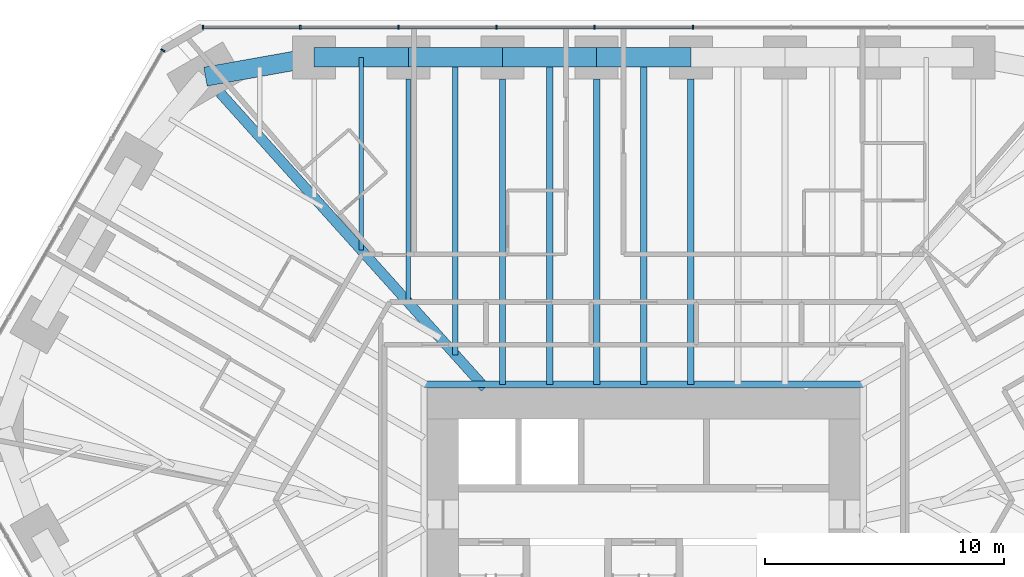
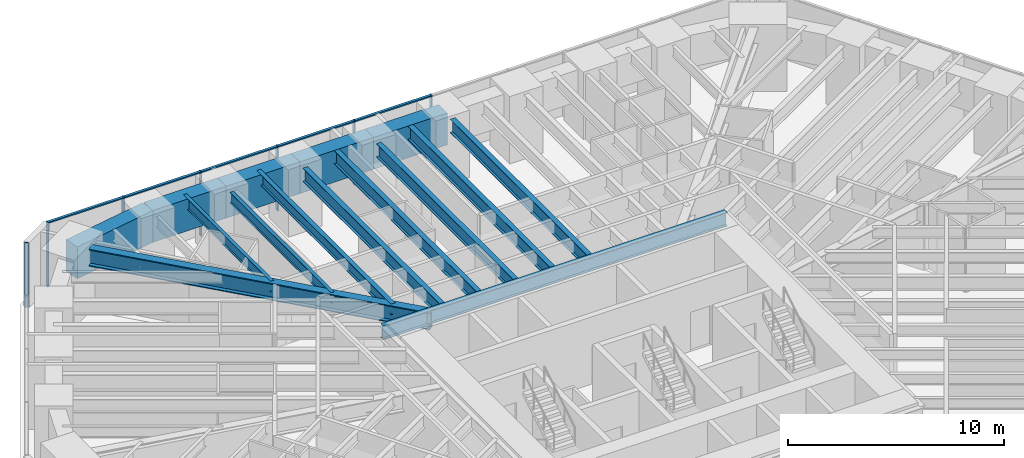
# One storey, part 8 of 17: 15 beams, 12 members, 2 elements without a shape of their own.
"""IFC4 building model written with IfcOpenShell, lengths in metres."""

import ifcopenshell
import ifcopenshell.guid

model = None  # the IFC model being written
_history = None  # IfcOwnerHistory: only IFC2X3 demands one
_inside = {}  # id of a spatial element -> (the spatial element, [elements in it])
_under = {}  # id of a project, library or spatial element -> (it, [spatial elements below it])
_declared = {}  # id of a project -> (the project, [libraries it declares])
_typed = {}  # id of a type object -> (the type object, [elements of that type])
_made_of = {}  # id of a material, layer set ... -> (it, [elements and type objects made of it])


def new_model(schema):
    """Start an empty IFC model of exactly this schema.

    Asked for "IFC4X3", IfcOpenShell would pick the latest addendum, in which some entities
    have other attributes; the version numbers below select the first issue.
    IFC2X3 requires an IfcOwnerHistory on every rooted entity: one is made here for all.
    """
    global model, _history
    if schema == "IFC4X3":
        model = ifcopenshell.file(schema_version=(4, 3, 0, 0))
    else:
        model = ifcopenshell.file(schema=schema)
    _inside.clear()
    _under.clear()
    _declared.clear()
    _typed.clear()
    _made_of.clear()
    _history = None
    if model.schema == "IFC2X3":
        org = make("IfcOrganization", Name="unknown")
        user = make(
            "IfcPersonAndOrganization",
            ThePerson=make("IfcPerson", FamilyName="unknown"),
            TheOrganization=org,
        )
        app = make(
            "IfcApplication",
            ApplicationDeveloper=org,
            Version="unknown",
            ApplicationFullName="unknown",
            ApplicationIdentifier="unknown",
        )
        _history = make(
            "IfcOwnerHistory",
            OwningUser=user,
            OwningApplication=app,
            ChangeAction="ADDED",
            CreationDate=0,
        )
    return model


def make(cls, **values):
    """One entity of the class cls with the attributes given. An attribute that is None is left unset."""
    return model.create_entity(
        cls, **{name: value for name, value in values.items() if value is not None}
    )


def rooted(cls, **values):
    """An entity with a GlobalId (a new one), such as an element, a storey or a relation."""
    return make(cls, GlobalId=ifcopenshell.guid.new(), OwnerHistory=_history, **values)


def si_unit(unit_type, name, prefix=None):
    """IfcSIUnit, for example si_unit("LENGTHUNIT", "METRE", prefix="MILLI")."""
    return make("IfcSIUnit", UnitType=unit_type, Prefix=prefix, Name=name)


def assignment(units):
    """IfcUnitAssignment: the units of a project."""
    return None if units is None else make("IfcUnitAssignment", Units=units)


def point(xyz):
    """IfcCartesianPoint."""
    return None if xyz is None else make("IfcCartesianPoint", Coordinates=xyz)


def direction(xyz):
    """IfcDirection."""
    return None if xyz is None else make("IfcDirection", DirectionRatios=xyz)


def frame(location, z_axis=None, x_axis=None):
    """IfcAxis2Placement3D, a coordinate frame: its origin and axes. An axis left out is left unset."""
    return make(
        "IfcAxis2Placement3D",
        Location=point(location),
        Axis=direction(z_axis),
        RefDirection=direction(x_axis),
    )


def frame_2d(location, x_axis=None):
    """IfcAxis2Placement2D, a coordinate frame in the plane: its origin and x axis."""
    return make(
        "IfcAxis2Placement2D", Location=point(location), RefDirection=direction(x_axis)
    )


def origin():
    """The frame at (0, 0, 0) with its axes left unset."""
    return frame((0.0, 0.0, 0.0))


def origin_2d():
    """The frame at (0, 0) in the plane with its x axis left unset."""
    return frame_2d((0.0, 0.0))


def place(relative_to, where):
    """IfcLocalPlacement: puts the frame where relative to a parent placement (None: the world)."""
    return make(
        "IfcLocalPlacement", PlacementRelTo=relative_to, RelativePlacement=where
    )


def context(
    kind, dimensions, precision=None, world=None, true_north=None, identifier=None
):
    """IfcGeometricRepresentationContext, for example the 3D "Model" context."""
    return make(
        "IfcGeometricRepresentationContext",
        ContextIdentifier=identifier,
        ContextType=kind,
        CoordinateSpaceDimension=dimensions,
        Precision=precision,
        WorldCoordinateSystem=world,
        TrueNorth=true_north,
    )


def subcontext(parent, identifier, kind, view, scale=None):
    """IfcGeometricRepresentationSubContext, for example "Body" below "Model"."""
    return make(
        "IfcGeometricRepresentationSubContext",
        ContextIdentifier=identifier,
        ContextType=kind,
        ParentContext=parent,
        TargetScale=scale,
        TargetView=view,
    )


def project(units=None, contexts=None):
    """IfcProject with its units and contexts."""
    return rooted(
        "IfcProject",
        Name="project",
        RepresentationContexts=contexts,
        UnitsInContext=assignment(units),
    )


def spatial(cls, under=None, at=None, **own):
    """A site, building, storey or space (cls), placed at a placement, below another one or the project."""
    s = rooted(cls, ObjectPlacement=at, **own)
    if under is not None:
        _under.setdefault(under.id(), (under, []))[1].append(s)
    return s


def profile(cls, at=None, kind="AREA", **sizes):
    """A parametric profile (cls). Its sizes go by their IFC names, for example OverallWidth=200.0."""
    return make(cls, ProfileType=kind, Position=at, **sizes)


def rectangle(**sizes):
    """IfcRectangleProfileDef."""
    return profile("IfcRectangleProfileDef", **sizes)


def i_section(**sizes):
    """IfcIShapeProfileDef."""
    return profile("IfcIShapeProfileDef", **sizes)


def extrude(swept, where, along, depth):
    """IfcExtrudedAreaSolid: the profile swept, set in the frame where, extruded along a direction by depth."""
    return make(
        "IfcExtrudedAreaSolid",
        SweptArea=swept,
        Position=where,
        ExtrudedDirection=direction(along),
        Depth=depth,
    )


def shape(context_of_items, identifier, shape_type, items):
    """IfcShapeRepresentation: the items that make up one representation, for example the "Body"."""
    return make(
        "IfcShapeRepresentation",
        ContextOfItems=context_of_items,
        RepresentationIdentifier=identifier,
        RepresentationType=shape_type,
        Items=items,
    )


def material(Name=None, Category=None):
    """IfcMaterial."""
    return make("IfcMaterial", Name=Name, Category=Category)


def material_profile(
    of_material, cross_section, Name=None, Category=None, Priority=None
):
    """IfcMaterialProfile: a cross section and its material."""
    return make(
        "IfcMaterialProfile",
        Name=Name,
        Material=of_material,
        Profile=cross_section,
        Priority=Priority,
        Category=Category,
    )


def profile_set(profiles, Name=None, composite=None):
    """IfcMaterialProfileSet."""
    return make(
        "IfcMaterialProfileSet",
        Name=Name,
        MaterialProfiles=profiles,
        CompositeProfile=composite,
    )


def made_of(thing, what):
    """Note that an element or type object is made of a material, layer set ...; save() writes the relation."""
    if what is not None:
        _made_of.setdefault(what.id(), (what, []))[1].append(thing)
    return thing


def type_object(cls, material=None, **own):
    """A type object (cls), such as IfcWallType, which elements share."""
    return made_of(rooted(cls, **own), material)


def element(
    cls,
    number,
    at=None,
    inside=None,
    cuts=None,
    type_object=None,
    material=None,
    context=None,
    identifier="Body",
    shape_type=None,
    held_by="IfcProductDefinitionShape",
    body=None,
    shapes=None,
    **own,
):
    """One element of the class cls, such as IfcWall. Its Tag is "e" and its number.

    at: its placement. inside: the storey or other place that contains it. cuts: it is an
    opening in that element (IfcRelVoidsElement). A single representation is given by context,
    identifier, shape_type and body (its items); several are given by shapes. held_by: the class
    of the entity that holds the representations. save() writes the other relations.
    """
    e = rooted(cls, Tag="e%d" % number, ObjectPlacement=at, **own)
    if body is not None:
        shapes = [shape(context, identifier, shape_type, body)]
    if shapes is not None:
        e.Representation = make(held_by, Representations=shapes)
    if inside is not None:
        _inside.setdefault(inside.id(), (inside, []))[1].append(e)
    if cuts is not None:
        rooted(
            "IfcRelVoidsElement", RelatingBuildingElement=cuts, RelatedOpeningElement=e
        )
    if type_object is not None:
        _typed.setdefault(type_object.id(), (type_object, []))[1].append(e)
    return made_of(e, material)


def aggregate(whole, parts):
    """IfcRelAggregates: a whole, such as a stair, and the parts it consists of."""
    return rooted("IfcRelAggregates", RelatingObject=whole, RelatedObjects=parts)


def save(model, path):
    """Write the relations noted so far, then the file.

    IfcRelAggregates (storeys below a building ...), IfcRelContainedInSpatialStructure (elements
    in a storey), IfcRelDefinesByType, IfcRelAssociatesMaterial and IfcRelDeclares: one each for
    every whole, place, type object, material and project.
    """
    for whole, parts in _under.values():
        aggregate(whole, parts)
    for where, things in _inside.values():
        rooted(
            "IfcRelContainedInSpatialStructure",
            RelatedElements=things,
            RelatingStructure=where,
        )
    for kind, things in _typed.values():
        rooted("IfcRelDefinesByType", RelatedObjects=things, RelatingType=kind)
    for what, things in _made_of.values():
        rooted("IfcRelAssociatesMaterial", RelatedObjects=things, RelatingMaterial=what)
    for by, libraries in _declared.values():
        rooted("IfcRelDeclares", RelatingContext=by, RelatedDefinitions=libraries)
    model.write(path)


model = new_model("IFC4")

# Units and contexts
model_context = context("Model", 3, precision=1e-05, world=origin(), true_north=direction((0.0, 1.0)))
body_context = subcontext(model_context, "Body", "Model", "MODEL_VIEW")
ifc_project = project(units=[si_unit("LENGTHUNIT", "METRE"), si_unit("AREAUNIT", "SQUARE_METRE"), si_unit("VOLUMEUNIT", "CUBIC_METRE"), si_unit("PLANEANGLEUNIT", "RADIAN"), si_unit("MASSUNIT", "GRAM", prefix="KILO")], contexts=[model_context])

# Site, building, storey
site_placement = place(None, origin())
site = spatial("IfcSite", under=ifc_project, at=site_placement, CompositionType="ELEMENT")
building_placement = place(site_placement, origin())
building = spatial("IfcBuilding", under=site, at=building_placement, Name="Sandreach Pilgrim Tower", CompositionType="ELEMENT")
storey_placement = place(building_placement, frame((0.0, 0.0, 104.39990234375)))
storey = spatial("IfcBuildingStorey", under=building, at=storey_placement, Name="L25", CompositionType="ELEMENT", Elevation=104.39990234375)

# Curtain wall, members
ifc_material_1 = material(Name="Aluminium framed curtain wall", Category="aluminium")
curtain_wall_type = type_object("IfcCurtainWallType", Name="Hotel tower curtain wall", PredefinedType="NOTDEFINED", material=ifc_material_1)
curtain_wall_1_placement = place(storey_placement, origin())
curtain_wall_1 = element("IfcCurtainWall", 1, at=curtain_wall_1_placement, inside=storey, type_object=curtain_wall_type, Name="CW-2 L25 N", PredefinedType="NOTDEFINED")
ifc_material_2 = material(Name="Aluminium extrusion", Category="aluminium")
ifc_material_profile_1 = material_profile(ifc_material_2, rectangle(XDim=0.06494140625, YDim=0.179931640625, at=origin_2d()), Name="CW-2M 65X180")
ifc_profile_set_1 = profile_set([ifc_material_profile_1], Name="Aluminium extrusion")
member_type_1 = type_object("IfcMemberType", Name="CW-2 mullion", PredefinedType="MULLION", material=ifc_profile_set_1)
member_1_placement = place(storey_placement, frame((-18.448974609375, 22.493896484375, 0.0), z_axis=(0.0, 0.0, 1.0), x_axis=(1.0, 0.0, 0.0)))
member_1 = element("IfcMember", 2, at=member_1_placement, type_object=member_type_1, Name="CW-2 mullion 1", PredefinedType="MULLION", context=body_context, shape_type="SweptSolid", body=[
    extrude(rectangle(XDim=0.06494140625, YDim=0.179931640625, at=origin_2d()), origin(), (0.0, 0.0, 1.0), 3.64013671875),
])
member_2_placement = place(storey_placement, frame((-14.37451171875, 22.493896484375, 0.0), z_axis=(0.0, 0.0, 1.0), x_axis=(1.0, 0.0, 0.0)))
member_2 = element("IfcMember", 3, at=member_2_placement, type_object=member_type_1, Name="CW-2 mullion 2", PredefinedType="MULLION", context=body_context, shape_type="SweptSolid", body=[
    extrude(rectangle(XDim=0.06494140625, YDim=0.179931640625, at=origin_2d()), origin(), (0.0, 0.0, 1.0), 3.64013671875),
])
member_3_placement = place(storey_placement, frame((-10.267333984375, 22.493896484375, 0.0), z_axis=(0.0, 0.0, 1.0), x_axis=(1.0, 0.0, 0.0)))
member_3 = element("IfcMember", 4, at=member_3_placement, type_object=member_type_1, Name="CW-2 mullion 3", PredefinedType="MULLION", context=body_context, shape_type="SweptSolid", body=[
    extrude(rectangle(XDim=0.06494140625, YDim=0.179931640625, at=origin_2d()), origin(), (0.0, 0.0, 1.0), 3.64013671875),
])
member_4_placement = place(storey_placement, frame((-6.160400390625, 22.493896484375, 0.0), z_axis=(0.0, 0.0, 1.0), x_axis=(1.0, 0.0, 0.0)))
member_4 = element("IfcMember", 5, at=member_4_placement, type_object=member_type_1, Name="CW-2 mullion 4", PredefinedType="MULLION", context=body_context, shape_type="SweptSolid", body=[
    extrude(rectangle(XDim=0.06494140625, YDim=0.179931640625, at=origin_2d()), origin(), (0.0, 0.0, 1.0), 3.64013671875),
])
member_5_placement = place(storey_placement, frame((-2.053466796875, 22.493896484375, 0.0), z_axis=(0.0, 0.0, 1.0), x_axis=(1.0, 0.0, 0.0)))
member_5 = element("IfcMember", 6, at=member_5_placement, type_object=member_type_1, Name="CW-2 mullion 5", PredefinedType="MULLION", context=body_context, shape_type="SweptSolid", body=[
    extrude(rectangle(XDim=0.06494140625, YDim=0.179931640625, at=origin_2d()), origin(), (0.0, 0.0, 1.0), 3.64013671875),
])
member_6_placement = place(storey_placement, frame((2.053466796875, 22.493896484375, 0.0), z_axis=(0.0, 0.0, 1.0), x_axis=(1.0, 0.0, 0.0)))
member_6 = element("IfcMember", 7, at=member_6_placement, type_object=member_type_1, Name="CW-2 mullion 6", PredefinedType="MULLION", context=body_context, shape_type="SweptSolid", body=[
    extrude(rectangle(XDim=0.06494140625, YDim=0.179931640625, at=origin_2d()), origin(), (0.0, 0.0, 1.0), 3.64013671875),
])

# Curtain wall, member
curtain_wall_2_placement = place(storey_placement, origin())
curtain_wall_2 = element("IfcCurtainWall", 8, at=curtain_wall_2_placement, inside=storey, type_object=curtain_wall_type, Name="CW-2 L25 NW", PredefinedType="NOTDEFINED")
member_7_placement = place(storey_placement, frame((-20.125732421875, 21.525634765625, 0.0), z_axis=(0.0, 0.0, 1.0), x_axis=(0.5, 0.866025403784, 0.0)))
member_7 = element("IfcMember", 9, at=member_7_placement, type_object=member_type_1, Name="CW-2 mullion 5", PredefinedType="MULLION", context=body_context, shape_type="SweptSolid", body=[
    extrude(rectangle(XDim=0.06494140625, YDim=0.179931640625, at=origin_2d()), origin(), (0.0, 0.0, 1.0), 3.64013671875),
])
aggregate(curtain_wall_2, [member_7])

# Member
ifc_material_3 = material(Name="Aluminium extrusion", Category="aluminium")
ifc_material_profile_2 = material_profile(ifc_material_3, rectangle(XDim=0.139892578125, YDim=0.070068359375, at=origin_2d()), Name="CW-2T 140X70")
ifc_profile_set_2 = profile_set([ifc_material_profile_2], Name="Aluminium extrusion")
member_type_2 = type_object("IfcMemberType", Name="CW-2 transom", PredefinedType="USERDEFINED", material=ifc_profile_set_2)
member_8_placement = place(storey_placement, frame((-18.416259765625, 22.493896484375, 3.60498046875), z_axis=(1.0, 0.0, 0.0), x_axis=(0.0, 1.0, 0.0)))
member_8 = element("IfcMember", 10, at=member_8_placement, type_object=member_type_2, Name="CW-2 head transom 1", ObjectType="TRANSOM", PredefinedType="USERDEFINED", context=body_context, shape_type="SweptSolid", body=[
    extrude(rectangle(XDim=0.139892578125, YDim=0.070068359375, at=origin_2d()), origin(), (0.0, 0.0, 1.0), 4.00927734375),
])

member_9_placement = place(storey_placement, frame((-14.341796875, 22.493896484375, 3.60498046875), z_axis=(1.0, 0.0, 0.0), x_axis=(0.0, 1.0, 0.0)))
member_9 = element("IfcMember", 11, at=member_9_placement, type_object=member_type_2, Name="CW-2 head transom 2", ObjectType="TRANSOM", PredefinedType="USERDEFINED", context=body_context, shape_type="SweptSolid", body=[
    extrude(rectangle(XDim=0.139892578125, YDim=0.070068359375, at=origin_2d()), origin(), (0.0, 0.0, 1.0), 4.041748046875),
])

member_10_placement = place(storey_placement, frame((-10.23486328125, 22.493896484375, 3.60498046875), z_axis=(1.0, 0.0, 0.0), x_axis=(0.0, 1.0, 0.0)))
member_10 = element("IfcMember", 12, at=member_10_placement, type_object=member_type_2, Name="CW-2 head transom 3", ObjectType="TRANSOM", PredefinedType="USERDEFINED", context=body_context, shape_type="SweptSolid", body=[
    extrude(rectangle(XDim=0.139892578125, YDim=0.070068359375, at=origin_2d()), origin(), (0.0, 0.0, 1.0), 4.0419921875),
])

member_11_placement = place(storey_placement, frame((-6.1279296875, 22.493896484375, 3.60498046875), z_axis=(1.0, 0.0, 0.0), x_axis=(0.0, 1.0, 0.0)))
member_11 = element("IfcMember", 13, at=member_11_placement, type_object=member_type_2, Name="CW-2 head transom 4", ObjectType="TRANSOM", PredefinedType="USERDEFINED", context=body_context, shape_type="SweptSolid", body=[
    extrude(rectangle(XDim=0.139892578125, YDim=0.070068359375, at=origin_2d()), origin(), (0.0, 0.0, 1.0), 4.0419921875),
])

member_12_placement = place(storey_placement, frame((-2.02099609375, 22.493896484375, 3.60498046875), z_axis=(1.0, 0.0, 0.0), x_axis=(0.0, 1.0, 0.0)))
member_12 = element("IfcMember", 14, at=member_12_placement, type_object=member_type_2, Name="CW-2 head transom 5", ObjectType="TRANSOM", PredefinedType="USERDEFINED", context=body_context, shape_type="SweptSolid", body=[
    extrude(rectangle(XDim=0.139892578125, YDim=0.070068359375, at=origin_2d()), origin(), (0.0, 0.0, 1.0), 4.0419921875),
])

aggregate(curtain_wall_1, [member_1, member_2, member_3, member_4, member_5, member_6, member_8, member_9, member_10, member_11, member_12])

# Beams
ifc_material_4 = material(Name="Steel ASTM A992 Grade 50", Category="steel")
ifc_material_profile_3 = material_profile(ifc_material_4, i_section(OverallWidth=0.2666015625, OverallDepth=0.77978515625, WebThickness=0.0166015625, FlangeThickness=0.030029296875, at=origin_2d()), Name="W30X148")
ifc_profile_set_3 = profile_set([ifc_material_profile_3], Name="Steel ASTM A992 Grade 50")
beam_type_1 = type_object("IfcBeamType", Name="Core edge beam W30X148", PredefinedType="BEAM", material=ifc_profile_set_3)
beam_1_placement = place(storey_placement, frame((-9.193359375, 7.54345703125, 3.250244140625), z_axis=(1.0, 0.0, 0.0), x_axis=(0.0, 1.0, 0.0)))
element("IfcBeam", 15, at=beam_1_placement, inside=storey, type_object=beam_type_1, Name="BM L25 CEN", PredefinedType="BEAM", context=body_context, shape_type="SweptSolid", body=[
    extrude(i_section(OverallWidth=0.2666015625, OverallDepth=0.77978515625, WebThickness=0.0166015625, FlangeThickness=0.030029296875, at=origin_2d()), origin(), (0.0, 0.0, 1.0), 18.38671875),
])
ifc_material_5 = material(Name="Steel ASTM A992 Grade 50", Category="steel")
ifc_material_profile_4 = material_profile(ifc_material_5, i_section(OverallWidth=0.424072265625, OverallDepth=0.965087890625, WebThickness=0.028564453125, FlangeThickness=0.051025390625, at=origin_2d()), Name="W36X361")
ifc_profile_set_4 = profile_set([ifc_material_profile_4], Name="Steel ASTM A992 Grade 50")
beam_type_2 = type_object("IfcBeamType", Name="Corner girder W36X361", PredefinedType="BEAM", material=ifc_profile_set_4)
beam_2_placement = place(storey_placement, frame((-17.738037109375, 19.754150390625, 3.157470703125), z_axis=(0.66811374471, -0.74405915365, 0.0), x_axis=(0.74405915365, 0.66811374471, 0.0)))
element("IfcBeam", 16, at=beam_2_placement, inside=storey, type_object=beam_type_2, Name="BM L25 CG39", PredefinedType="BEAM", context=body_context, shape_type="SweptSolid", body=[
    extrude(i_section(OverallWidth=0.424072265625, OverallDepth=0.965087890625, WebThickness=0.028564453125, FlangeThickness=0.051025390625, at=origin_2d()), origin(), (0.0, 0.0, 1.0), 16.603759765625),
])
ifc_material_6 = material(Name="Steel ASTM A992 Grade 50", Category="steel")
ifc_material_profile_5 = material_profile(ifc_material_6, i_section(OverallWidth=0.1787109375, OverallDepth=0.60205078125, WebThickness=0.010986328125, FlangeThickness=0.014892578125, at=origin_2d()), Name="W24X62")
ifc_profile_set_5 = profile_set([ifc_material_profile_5], Name="Steel ASTM A992 Grade 50")
beam_type_3 = type_object("IfcBeamType", Name="Floor beam W24X62", PredefinedType="BEAM", material=ifc_profile_set_5)
beam_3_placement = place(storey_placement, frame((-9.849853515625, 20.333740234375, 3.339111328125), z_axis=(0.0, -1.0, 0.0), x_axis=(1.0, 0.0, 0.0)))
element("IfcBeam", 17, at=beam_3_placement, inside=storey, type_object=beam_type_3, Name="BM L25 F02", PredefinedType="BEAM", context=body_context, shape_type="SweptSolid", body=[
    extrude(i_section(OverallWidth=0.1787109375, OverallDepth=0.60205078125, WebThickness=0.010986328125, FlangeThickness=0.014892578125, at=origin_2d()), origin(), (0.0, 0.0, 1.0), 9.3642578125),
])
beam_4_placement = place(storey_placement, frame((-11.81982421875, 21.23388671875, 3.339111328125), z_axis=(0.0, -1.0, 0.0), x_axis=(1.0, 0.0, 0.0)))
element("IfcBeam", 18, at=beam_4_placement, inside=storey, type_object=beam_type_3, Name="BM L25 FM01", PredefinedType="BEAM", context=body_context, shape_type="SweptSolid", body=[
    extrude(i_section(OverallWidth=0.1787109375, OverallDepth=0.60205078125, WebThickness=0.010986328125, FlangeThickness=0.014892578125, at=origin_2d()), origin(), (0.0, 0.0, 1.0), 8.070556640625),
])
ifc_material_7 = material(Name="Steel ASTM A992 Grade 50", Category="steel")
ifc_material_profile_6 = material_profile(ifc_material_7, i_section(OverallWidth=0.23046875, OverallDepth=0.6171875, WebThickness=0.01318359375, FlangeThickness=0.022216796875, at=origin_2d()), Name="W24X94")
ifc_profile_set_6 = profile_set([ifc_material_profile_6], Name="Steel ASTM A992 Grade 50")
beam_type_4 = type_object("IfcBeamType", Name="Floor beam W24X94", PredefinedType="BEAM", material=ifc_profile_set_6)
beam_5_placement = place(storey_placement, frame((-7.8798828125, 21.23388671875, 3.33154296875), z_axis=(0.0, -1.0, 0.0), x_axis=(1.0, 0.0, 0.0)))
element("IfcBeam", 19, at=beam_5_placement, inside=storey, type_object=beam_type_4, Name="BM L25 FM02", PredefinedType="BEAM", context=body_context, shape_type="SweptSolid", body=[
    extrude(i_section(OverallWidth=0.23046875, OverallDepth=0.6171875, WebThickness=0.01318359375, FlangeThickness=0.022216796875, at=origin_2d()), origin(), (0.0, 0.0, 1.0), 12.458251953125),
])
ifc_material_8 = material(Name="Steel ASTM A992 Grade 50", Category="steel")
ifc_material_profile_7 = material_profile(ifc_material_8, i_section(OverallWidth=0.2666015625, OverallDepth=0.761962890625, WebThickness=0.014404296875, FlangeThickness=0.021484375, at=origin_2d()), Name="W30X116")
ifc_profile_set_7 = profile_set([ifc_material_profile_7], Name="Steel ASTM A992 Grade 50")
beam_type_5 = type_object("IfcBeamType", Name="Floor beam W30X116", PredefinedType="BEAM", material=ifc_profile_set_7)
for number, where, z_axis, x_axis, name in (
    (20, (-5.909912109375, 20.333740234375, 3.259033203125), (0.0, -1.0, 0.0), (1.0, 0.0, 0.0), "BM L25 F03"),
    (21, (-1.969970703125, 20.333740234375, 3.259033203125), (0.0, -1.0, 0.0), (1.0, 0.0, 0.0), "BM L25 F04"),
    (22, (1.969970703125, 20.333740234375, 3.259033203125), (0.0, -1.0, 0.0), (1.0, 0.0, 0.0), "BM L25 F05"),
):
    element("IfcBeam", number, at=place(storey_placement, frame(where, z_axis=z_axis, x_axis=x_axis)), inside=storey, type_object=beam_type_5, Name=name, PredefinedType="BEAM", context=body_context, shape_type="SweptSolid", body=[
        extrude(i_section(OverallWidth=0.2666015625, OverallDepth=0.761962890625, WebThickness=0.014404296875, FlangeThickness=0.021484375, at=origin_2d()), origin(), (0.0, 0.0, 1.0), 12.790283203125),
    ])
for number, where, z_axis, x_axis, name in (
    (23, (-3.93994140625, 21.23388671875, 3.259033203125), (0.0, -1.0, 0.0), (1.0, 0.0, 0.0), "BM L25 FM03"),
    (24, (0.0, 21.23388671875, 3.259033203125), (0.0, -1.0, 0.0), (1.0, 0.0, 0.0), "BM L25 FM04"),
):
    element("IfcBeam", number, at=place(storey_placement, frame(where, z_axis=z_axis, x_axis=x_axis)), inside=storey, type_object=beam_type_5, Name=name, PredefinedType="BEAM", context=body_context, shape_type="SweptSolid", body=[
        extrude(i_section(OverallWidth=0.2666015625, OverallDepth=0.761962890625, WebThickness=0.014404296875, FlangeThickness=0.021484375, at=origin_2d()), origin(), (0.0, 0.0, 1.0), 13.6904296875),
    ])
ifc_material_9 = material(Name="Concrete 10000 psi", Category="concrete")
ifc_material_profile_8 = material_profile(ifc_material_9, rectangle(XDim=0.800048828125, YDim=1.800048828125, at=origin_2d()), Name="RC800X1800")
ifc_profile_set_8 = profile_set([ifc_material_profile_8], Name="Concrete 10000 psi")
beam_type_6 = type_object("IfcBeamType", Name="Spandrel beam RC800X1800", PredefinedType="SPANDREL", material=ifc_profile_set_8)
for number, where, z_axis, x_axis, name in (
    (25, (-13.789794921875, 21.23388671875, 2.739990234375), (1.0, 0.0, 0.0), (0.0, 1.0, 0.0), "BM L25 SP01"),
    (26, (-9.849853515625, 21.23388671875, 2.739990234375), (1.0, 0.0, 0.0), (0.0, 1.0, 0.0), "BM L25 SP02"),
    (27, (-5.909912109375, 21.23388671875, 2.739990234375), (1.0, 0.0, 0.0), (0.0, 1.0, 0.0), "BM L25 SP03"),
    (28, (-1.969970703125, 21.23388671875, 2.739990234375), (1.0, 0.0, 0.0), (0.0, 1.0, 0.0), "BM L25 SP04"),
):
    element("IfcBeam", number, at=place(storey_placement, frame(where, z_axis=z_axis, x_axis=x_axis)), inside=storey, type_object=beam_type_6, Name=name, PredefinedType="SPANDREL", context=body_context, shape_type="SweptSolid", body=[
        extrude(rectangle(XDim=0.800048828125, YDim=1.800048828125, at=origin_2d()), origin(), (0.0, 0.0, 1.0), 3.93994140625),
    ])
beam_6_placement = place(storey_placement, frame((-18.33935546875, 20.423828125, 2.739990234375), z_axis=(0.984515938739, 0.175295083699, 0.0), x_axis=(-0.175295083699, 0.984515938739, 0.0)))
element("IfcBeam", 29, at=beam_6_placement, inside=storey, type_object=beam_type_6, Name="BM L25 SP39", PredefinedType="SPANDREL", context=body_context, shape_type="SweptSolid", body=[
    extrude(rectangle(XDim=0.800048828125, YDim=1.800048828125, at=origin_2d()), origin(), (0.0, 0.0, 1.0), 4.62109375),
])

save(model, "model.ifc")
